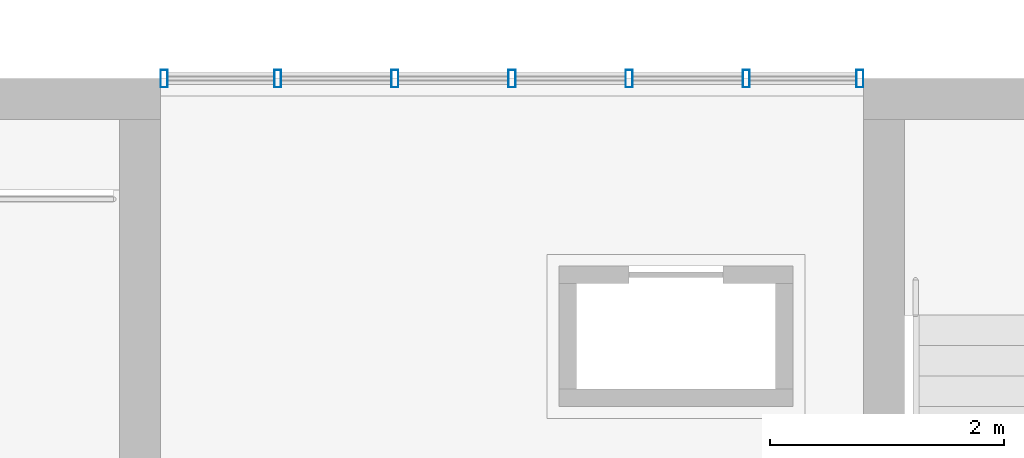
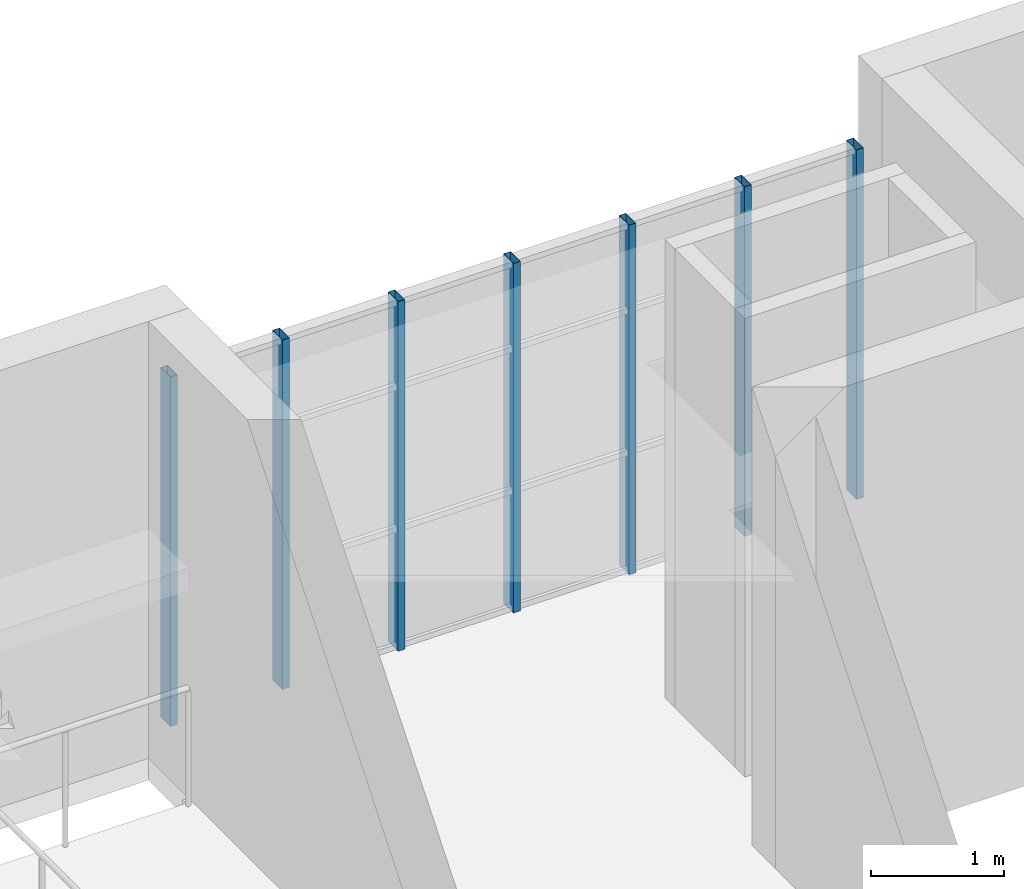
# One storey, part 44 of 92: 7 members, 1 element without a shape of its own.
"""IFC4 building model written with IfcOpenShell, lengths in metres."""

from ifc_helpers import new_model, si_unit, direction, frame, origin, origin_2d, place, context, subcontext, project, spatial, hollow_rectangle, extrude, material, material_profile, profile_set, type_object, element, aggregate, save


model = new_model("IFC4")

# Units and contexts
model_context = context("Model", 3, precision=1e-05, world=origin(), true_north=direction((0.0, 1.0)))
body_context = subcontext(model_context, "Body", "Model", "MODEL_VIEW")
ifc_project = project(units=[si_unit("LENGTHUNIT", "METRE"), si_unit("AREAUNIT", "SQUARE_METRE"), si_unit("VOLUMEUNIT", "CUBIC_METRE"), si_unit("PLANEANGLEUNIT", "RADIAN"), si_unit("MASSUNIT", "GRAM", prefix="KILO")], contexts=[model_context])

# Site, building, storey
site_placement = place(None, origin())
site = spatial("IfcSite", under=ifc_project, at=site_placement, CompositionType="ELEMENT")
building_placement = place(site_placement, origin())
building = spatial("IfcBuilding", under=site, at=building_placement, Name="Laocheng Heights Fire and Rescue Headquarters", CompositionType="ELEMENT")
storey_placement = place(building_placement, frame((0.0, 0.0, 12.60009765625)))
storey = spatial("IfcBuildingStorey", under=building, at=storey_placement, Name="L03", CompositionType="ELEMENT", Elevation=12.60009765625)

# Curtain wall, members
ifc_material_1 = material(Name="Dark anodised aluminium unitised curtain wall, low-e double glazing", Category="aluminium")
curtain_wall_type = type_object("IfcCurtainWallType", Name="CW 6000 x 3200 HQ CONTROL ROOM FACE", PredefinedType="NOTDEFINED", material=ifc_material_1)
curtain_wall_placement = place(storey_placement, origin())
curtain_wall = element("IfcCurtainWall", 1, at=curtain_wall_placement, inside=storey, type_object=curtain_wall_type, Name="X23-X HQ NORTH L03", PredefinedType="NOTDEFINED")
ifc_material_2 = material(Name="Dark anodised aluminium 6063-T5 extrusion", Category="aluminium")
ifc_material_profile = material_profile(ifc_material_2, hollow_rectangle(XDim=0.14990234375, YDim=0.06005859375, WallThickness=0.0029296875, at=origin_2d()), Name="AL MULLION 150x60x3 HQ CONTROL ROOM FACE")
ifc_profile_set = profile_set([ifc_material_profile], Name="Dark anodised aluminium 6063-T5 extrusion")
member_type = type_object("IfcMemberType", Name="AL MULLION 150x60x3 HQ CONTROL ROOM FACE", PredefinedType="MULLION", material=ifc_profile_set)
member_1_placement = place(storey_placement, frame((72.030029296875, 72.0, 0.0), z_axis=(0.0, 0.0, 1.0), x_axis=(0.0, 1.0, 0.0)))
member_1 = element("IfcMember", 2, at=member_1_placement, type_object=member_type, Name="X23-X mullion 1", PredefinedType="MULLION", context=body_context, shape_type="SweptSolid", body=[
    extrude(hollow_rectangle(XDim=0.14990234375, YDim=0.06005859375, WallThickness=0.0029296875, at=origin_2d()), origin(), (0.0, 0.0, 1.0), 3.199951171875),
])
member_2_placement = place(storey_placement, frame((73.0, 72.0, 0.0), z_axis=(0.0, 0.0, 1.0), x_axis=(0.0, 1.0, 0.0)))
member_2 = element("IfcMember", 3, at=member_2_placement, type_object=member_type, Name="X23-X mullion 2", PredefinedType="MULLION", context=body_context, shape_type="SweptSolid", body=[
    extrude(hollow_rectangle(XDim=0.14990234375, YDim=0.06005859375, WallThickness=0.0029296875, at=origin_2d()), origin(), (0.0, 0.0, 1.0), 3.199951171875),
])
member_3_placement = place(storey_placement, frame((74.0, 72.0, 0.0), z_axis=(0.0, 0.0, 1.0), x_axis=(0.0, 1.0, 0.0)))
member_3 = element("IfcMember", 4, at=member_3_placement, type_object=member_type, Name="X23-X mullion 3", PredefinedType="MULLION", context=body_context, shape_type="SweptSolid", body=[
    extrude(hollow_rectangle(XDim=0.14990234375, YDim=0.06005859375, WallThickness=0.0029296875, at=origin_2d()), origin(), (0.0, 0.0, 1.0), 3.199951171875),
])
member_4_placement = place(storey_placement, frame((75.0, 72.0, 0.0), z_axis=(0.0, 0.0, 1.0), x_axis=(0.0, 1.0, 0.0)))
member_4 = element("IfcMember", 5, at=member_4_placement, type_object=member_type, Name="X23-X mullion 4", PredefinedType="MULLION", context=body_context, shape_type="SweptSolid", body=[
    extrude(hollow_rectangle(XDim=0.14990234375, YDim=0.06005859375, WallThickness=0.0029296875, at=origin_2d()), origin(), (0.0, 0.0, 1.0), 3.199951171875),
])
member_5_placement = place(storey_placement, frame((76.0, 72.0, 0.0), z_axis=(0.0, 0.0, 1.0), x_axis=(0.0, 1.0, 0.0)))
member_5 = element("IfcMember", 6, at=member_5_placement, type_object=member_type, Name="X23-X mullion 5", PredefinedType="MULLION", context=body_context, shape_type="SweptSolid", body=[
    extrude(hollow_rectangle(XDim=0.14990234375, YDim=0.06005859375, WallThickness=0.0029296875, at=origin_2d()), origin(), (0.0, 0.0, 1.0), 3.199951171875),
])
member_6_placement = place(storey_placement, frame((77.0, 72.0, 0.0), z_axis=(0.0, 0.0, 1.0), x_axis=(0.0, 1.0, 0.0)))
member_6 = element("IfcMember", 7, at=member_6_placement, type_object=member_type, Name="X23-X mullion 6", PredefinedType="MULLION", context=body_context, shape_type="SweptSolid", body=[
    extrude(hollow_rectangle(XDim=0.14990234375, YDim=0.06005859375, WallThickness=0.0029296875, at=origin_2d()), origin(), (0.0, 0.0, 1.0), 3.199951171875),
])
member_7_placement = place(storey_placement, frame((77.969970703125, 72.0, 0.0), z_axis=(0.0, 0.0, 1.0), x_axis=(0.0, 1.0, 0.0)))
member_7 = element("IfcMember", 8, at=member_7_placement, type_object=member_type, Name="X23-X mullion 7", PredefinedType="MULLION", context=body_context, shape_type="SweptSolid", body=[
    extrude(hollow_rectangle(XDim=0.14990234375, YDim=0.06005859375, WallThickness=0.0029296875, at=origin_2d()), origin(), (0.0, 0.0, 1.0), 3.199951171875),
])
aggregate(curtain_wall, [member_1, member_2, member_3, member_4, member_5, member_6, member_7])

save(model, "model.ifc")
